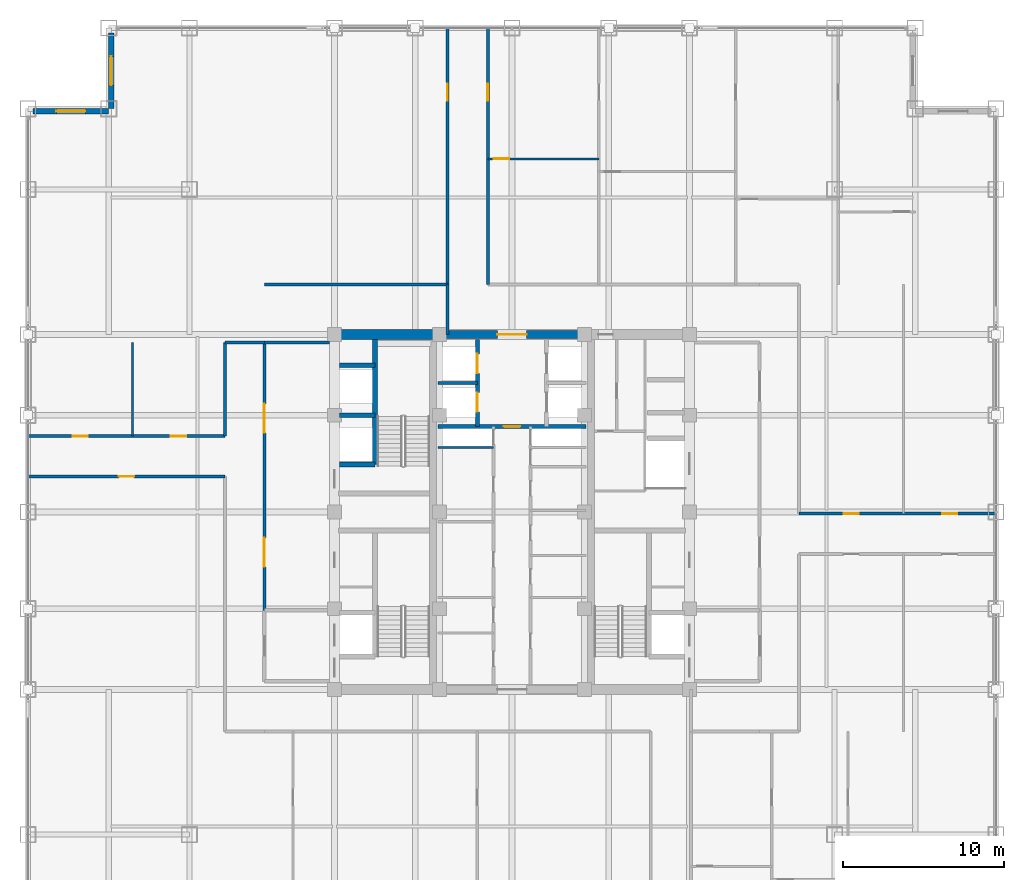
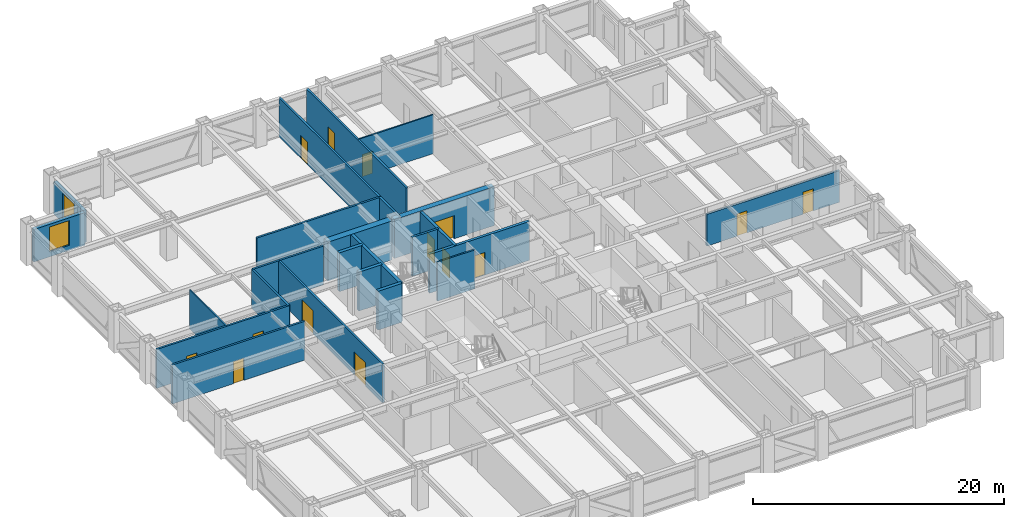
# One storey, part 22 of 25: 25 walls, 14 doors, 2 windows, 16 openings.
"""IFC4 building model written with IfcOpenShell, lengths in metres."""

from ifc_helpers import new_model, si_unit, direction, frame, frame_2d, origin, place, context, subcontext, project, spatial, rectangle, extrude, source, transform, mapped, material, layer, layer_set, type_object, element, fill, save


model = new_model("IFC4")

# Units and contexts
model_context = context("Model", 3, precision=1e-05, world=origin(), true_north=direction((0.0, 1.0)))
body_context = subcontext(model_context, "Body", "Model", "MODEL_VIEW")
ifc_project = project(units=[si_unit("LENGTHUNIT", "METRE"), si_unit("AREAUNIT", "SQUARE_METRE"), si_unit("VOLUMEUNIT", "CUBIC_METRE"), si_unit("PLANEANGLEUNIT", "RADIAN"), si_unit("MASSUNIT", "GRAM", prefix="KILO")], contexts=[model_context])

# Site, building, storey
site_placement = place(None, origin())
site = spatial("IfcSite", under=ifc_project, at=site_placement, CompositionType="ELEMENT")
building_placement = place(site_placement, origin())
building = spatial("IfcBuilding", under=site, at=building_placement, Name="Khorayat Bourse Tower", CompositionType="ELEMENT")
storey_placement = place(building_placement, frame((0.0, 0.0, 255.10009765625)))
storey = spatial("IfcBuildingStorey", under=building, at=storey_placement, Name="L60", CompositionType="ELEMENT", Elevation=255.10009765625)

# Wall, opening, door
ifc_material_1 = material(Name="Concrete C52/65", Category="concrete")
ifc_layer_1 = layer(ifc_material_1, 0.5)
ifc_layer_set_1 = layer_set([ifc_layer_1], Name="Concrete C52/65")
wall_type_1 = type_object("IfcWallType", Name="WAL-CORE-500", PredefinedType="SHEAR", material=ifc_layer_set_1)
shared_shape_1 = source(origin(), body_context, "Body", "SweptSolid", [
    extrude(rectangle(XDim=9.2001953125, YDim=0.5, at=frame_2d((4.60009765625, 0.0))), origin(), (0.0, 0.0, 1.0), 3.77978515625),
])
wall_1_placement = place(storey_placement, frame((-4.60009765625, 11.0, 0.0), z_axis=(0.0, 0.0, 1.0), x_axis=(1.0, 0.0, 0.0)))
wall_1 = element("IfcWall", 1, at=wall_1_placement, inside=storey, type_object=wall_type_1, Name="L60 Core Shear Wall CORE-N", PredefinedType="SHEAR", context=body_context, shape_type="MappedRepresentation", body=[
    mapped(shared_shape_1, transform((0.0, 0.0, 0.0), scale=1.0)),
])
shared_shape_2 = source(origin(), body_context, "Body", "SweptSolid", [
    extrude(rectangle(XDim=1.800048828125, YDim=2.25, at=frame_2d((0.89990234375, 1.125))), frame((0.0, 0.260009765625, 0.0), z_axis=(0.0, -1.0, 0.0), x_axis=(1.0, 0.0, 0.0)), (0.0, 0.0, 1.0), 0.52001953125),
])
opening_1_placement = place(wall_1_placement, frame((3.699951171875, 0.0, 0.0)))
opening_1 = element("IfcOpeningElement", 2, at=opening_1_placement, cuts=wall_1, Name="Opening DI-03", PredefinedType="OPENING", context=body_context, shape_type="MappedRepresentation", body=[
    mapped(shared_shape_2, transform((0.0, 0.0, 0.0), scale=1.0)),
])
ifc_material_2 = material(Name="Fire-rated hardwood vision-panel double leaf", Category="wood")
door_type_1 = type_object("IfcDoorType", Name="DR-INT-CORR-1800", OperationType="NOTDEFINED", PredefinedType="DOOR", material=ifc_material_2)
shared_shape_3 = source(origin(), body_context, "Body", "SweptSolid", [
    extrude(rectangle(XDim=1.800048828125, YDim=2.25, at=frame_2d((0.89990234375, 1.125))), frame((0.0, 0.02490234375, 0.0), z_axis=(0.0, -1.0, 0.0), x_axis=(1.0, 0.0, 0.0)), (0.0, 0.0, 1.0), 0.050048828125),
])
door_1_placement = place(opening_1_placement, origin())
door_1 = element("IfcDoor", 3, at=door_1_placement, inside=storey, type_object=door_type_1, Name="L60 Mid-Rise Lift Lobby Door", OperationType="SINGLE_SWING_RIGHT", OverallHeight=2.25, OverallWidth=1.800048828125, PredefinedType="DOOR", context=body_context, shape_type="MappedRepresentation", body=[
    mapped(shared_shape_3, transform((0.0, 0.0, 0.0), scale=1.0)),
])
fill(opening_1, door_1)

# Wall
ifc_material_3 = material(Name="Concrete C60/75", Category="concrete")
ifc_layer_2 = layer(ifc_material_3, 0.60009765625)
ifc_layer_set_2 = layer_set([ifc_layer_2], Name="Concrete C60/75")
wall_type_2 = type_object("IfcWallType", Name="WAL-CORE-600", PredefinedType="SHEAR", material=ifc_layer_set_2)
shared_shape_4 = source(origin(), body_context, "Body", "SweptSolid", [
    extrude(rectangle(XDim=5.89990234375, YDim=0.60009765625, at=frame_2d((2.949951171875, 0.0))), origin(), (0.0, 0.0, 1.0), 3.77978515625),
])
wall_2_placement = place(storey_placement, frame((-10.75, 11.0, 0.0), z_axis=(0.0, 0.0, 1.0), x_axis=(1.0, 0.0, 0.0)))
element("IfcWall", 4, at=wall_2_placement, inside=storey, type_object=wall_type_2, Name="L60 Core Shear Wall PIER-WN", PredefinedType="SHEAR", context=body_context, shape_type="MappedRepresentation", body=[
    mapped(shared_shape_4, transform((0.0, 0.0, 0.0), scale=1.0)),
])

# Wall, opening, window
ifc_material_4 = material(Name="Precast concrete C45/55", Category="concrete")
ifc_layer_3 = layer(ifc_material_4, 0.320068359375)
ifc_layer_set_3 = layer_set([ifc_layer_3], Name="Precast concrete C45/55")
wall_type_3 = type_object("IfcWallType", Name="WAL-EXT-STONE-320", PredefinedType="STANDARD", material=ifc_layer_set_3)
shared_shape_5 = source(origin(), body_context, "Body", "SweptSolid", [
    extrude(rectangle(XDim=4.679931640625, YDim=0.320068359375, at=frame_2d((2.33984375, 0.0))), origin(), (0.0, 0.0, 1.0), 3.163818359375),
])
wall_3_placement = place(storey_placement, frame((-24.840087890625, 25.0, 0.0), z_axis=(0.0, 0.0, 1.0), x_axis=(0.0, 1.0, 0.0)))
wall_3 = element("IfcWall", 5, at=wall_3_placement, inside=storey, type_object=wall_type_3, Name="L60 Re-Entrant Notch Limestone Wall NW-V", PredefinedType="STANDARD", context=body_context, shape_type="MappedRepresentation", body=[
    mapped(shared_shape_5, transform((0.0, 0.0, 0.0), scale=1.0)),
])
shared_shape_6 = source(origin(), body_context, "Body", "SweptSolid", [
    extrude(rectangle(XDim=1.800048828125, YDim=2.39990234375, at=frame_2d((0.89990234375, 1.199951171875))), frame((0.0, 0.169921875, 0.0), z_axis=(0.0, -1.0, 0.0), x_axis=(1.0, 0.0, 0.0)), (0.0, 0.0, 1.0), 0.340087890625),
])
opening_2_placement = place(wall_3_placement, frame((1.43994140625, 0.0, 0.5)))
opening_2 = element("IfcOpeningElement", 6, at=opening_2_placement, cuts=wall_3, Name="Opening WN-04", PredefinedType="OPENING", context=body_context, shape_type="MappedRepresentation", body=[
    mapped(shared_shape_6, transform((0.0, 0.0, 0.0), scale=1.0)),
])
ifc_material_5 = material(Name="Low-E acoustic laminated double glazing", Category="glass")
window_type = type_object("IfcWindowType", Name="WIN-NOTCH-1800x2400", PartitioningType="SINGLE_PANEL", PredefinedType="WINDOW", material=ifc_material_5)
shared_shape_7 = source(origin(), body_context, "Body", "SweptSolid", [
    extrude(rectangle(XDim=1.800048828125, YDim=2.39990234375, at=frame_2d((0.89990234375, 1.199951171875))), frame((0.0, 0.030029296875, 0.0), z_axis=(0.0, -1.0, 0.0), x_axis=(1.0, 0.0, 0.0)), (0.0, 0.0, 1.0), 0.06005859375),
])
window_1_placement = place(opening_2_placement, origin())
window_1 = element("IfcWindow", 7, at=window_1_placement, inside=storey, type_object=window_type, Name="L60 Facade Window 1", OverallHeight=2.39990234375, OverallWidth=1.800048828125, PartitioningType="SINGLE_PANEL", PredefinedType="WINDOW", context=body_context, shape_type="MappedRepresentation", body=[
    mapped(shared_shape_7, transform((0.0, 0.0, 0.0), scale=1.0)),
])
fill(opening_2, window_1)

wall_4_placement = place(storey_placement, frame((-25.0, 24.840087890625, 0.0), z_axis=(0.0, 0.0, 1.0), x_axis=(-1.0, 0.0, 0.0)))
wall_4 = element("IfcWall", 8, at=wall_4_placement, inside=storey, type_object=wall_type_3, Name="L60 Re-Entrant Notch Limestone Wall NW-H", PredefinedType="STANDARD", context=body_context, shape_type="MappedRepresentation", body=[
    mapped(shared_shape_5, transform((0.0, 0.0, 0.0), scale=1.0)),
])
opening_3_placement = place(wall_4_placement, frame((1.43994140625, 0.0, 0.5)))
opening_3 = element("IfcOpeningElement", 9, at=opening_3_placement, cuts=wall_4, Name="Opening WN-04", PredefinedType="OPENING", context=body_context, shape_type="MappedRepresentation", body=[
    mapped(shared_shape_6, transform((0.0, 0.0, 0.0), scale=1.0)),
])
window_2_placement = place(opening_3_placement, origin())
window_2 = element("IfcWindow", 10, at=window_2_placement, inside=storey, type_object=window_type, Name="L60 Facade Window 1", OverallHeight=2.39990234375, OverallWidth=1.800048828125, PartitioningType="SINGLE_PANEL", PredefinedType="WINDOW", context=body_context, shape_type="MappedRepresentation", body=[
    mapped(shared_shape_7, transform((0.0, 0.0, 0.0), scale=1.0)),
])
fill(opening_3, window_2)

# Walls
ifc_material_6 = material(Name="Concrete C50/60", Category="concrete")
ifc_layer_4 = layer(ifc_material_6, 0.300048828125)
ifc_layer_set_4 = layer_set([ifc_layer_4], Name="Concrete C50/60")
wall_type_4 = type_object("IfcWallType", Name="WAL-SHAFT-300", PredefinedType="SHEAR", material=ifc_layer_set_4)
shared_shape_8 = source(origin(), body_context, "Body", "SweptSolid", [
    extrude(rectangle(XDim=2.199951171875, YDim=0.300048828125, at=frame_2d((1.10009765625, 0.0))), origin(), (0.0, 0.0, 1.0), 3.77978515625),
])
for number, where, z_axis, x_axis, name in (
    (11, (-10.699951171875, 2.949951171875, 0.0), (0.0, 0.0, 1.0), (1.0, 0.0, 0.0), "L60 Partition WAL-L60-WPIER-H1S"),
    (12, (-10.699951171875, 6.0, 0.0), (0.0, 0.0, 1.0), (1.0, 0.0, 0.0), "L60 Partition WAL-L60-WPIER-H12"),
    (13, (-10.699951171875, 9.10009765625, 0.0), (0.0, 0.0, 1.0), (1.0, 0.0, 0.0), "L60 Partition WAL-L60-WPIER-H2N"),
):
    element("IfcWall", number, at=place(storey_placement, frame(where, z_axis=z_axis, x_axis=x_axis)), inside=storey, type_object=wall_type_4, Name=name, PredefinedType="SHEAR", context=body_context, shape_type="MappedRepresentation", body=[
        mapped(shared_shape_8, transform((0.0, 0.0, 0.0), scale=1.0)),
    ])
shared_shape_9 = source(origin(), body_context, "Body", "SweptSolid", [
    extrude(rectangle(XDim=7.75, YDim=0.300048828125, at=frame_2d((3.875, 0.0))), origin(), (0.0, 0.0, 1.0), 3.77978515625),
])
wall_5_placement = place(storey_placement, frame((-8.5, 2.949951171875, 0.0), z_axis=(0.0, 0.0, 1.0), x_axis=(0.0, 1.0, 0.0)))
element("IfcWall", 14, at=wall_5_placement, inside=storey, type_object=wall_type_4, Name="L60 Partition WAL-L60-WPIER-ST2S", PredefinedType="SHEAR", context=body_context, shape_type="MappedRepresentation", body=[
    mapped(shared_shape_9, transform((0.0, 0.0, 0.0), scale=1.0)),
])
ifc_material_7 = material(Name="Gypsum plasterboard acoustic stud wall")
ifc_layer_5 = layer(ifc_material_7, 0.179931640625)
ifc_layer_set_5 = layer_set([ifc_layer_5], Name="Gypsum plasterboard acoustic stud wall")
wall_type_5 = type_object("IfcWallType", Name="WAL-PART-CORR-180", PredefinedType="PARTITIONING", material=ifc_layer_set_5)
shared_shape_10 = source(origin(), body_context, "Body", "SweptSolid", [
    extrude(rectangle(XDim=4.050048828125, YDim=0.179931640625, at=frame_2d((2.02490234375, 0.0))), origin(), (0.0, 0.0, 1.0), 3.77978515625),
])
wall_6_placement = place(storey_placement, frame((-15.35009765625, 10.5, 0.0), z_axis=(0.0, 0.0, 1.0), x_axis=(1.0, 0.0, 0.0)))
element("IfcWall", 15, at=wall_6_placement, inside=storey, type_object=wall_type_5, Name="L60 Partition WAL-L60-WLOB-N", PredefinedType="PARTITIONING", context=body_context, shape_type="MappedRepresentation", body=[
    mapped(shared_shape_10, transform((0.0, 0.0, 0.0), scale=1.0)),
])

# Wall, openings, doors
shared_shape_11 = source(origin(), body_context, "Body", "SweptSolid", [
    extrude(rectangle(XDim=16.60009765625, YDim=0.179931640625, at=frame_2d((8.300048828125, 0.0))), origin(), (0.0, 0.0, 1.0), 3.77978515625),
])
wall_7_placement = place(storey_placement, frame((-15.35009765625, -6.10009765625, 0.0), z_axis=(0.0, 0.0, 1.0), x_axis=(0.0, 1.0, 0.0)))
wall_7 = element("IfcWall", 16, at=wall_7_placement, inside=storey, type_object=wall_type_5, Name="L60 Partition WAL-L60-WLOB-W", PredefinedType="PARTITIONING", context=body_context, shape_type="MappedRepresentation", body=[
    mapped(shared_shape_11, transform((0.0, 0.0, 0.0), scale=1.0)),
])
shared_shape_12 = source(origin(), body_context, "Body", "SweptSolid", [
    extrude(rectangle(XDim=1.800048828125, YDim=2.25, at=frame_2d((0.89990234375, 1.125))), frame((0.0, 0.099853515625, 0.0), z_axis=(0.0, -1.0, 0.0), x_axis=(1.0, 0.0, 0.0)), (0.0, 0.0, 1.0), 0.199951171875),
])
opening_4_placement = place(wall_7_placement, frame((2.699951171875, 0.0, 0.0)))
opening_4 = element("IfcOpeningElement", 17, at=opening_4_placement, cuts=wall_7, Name="Opening DI-03", PredefinedType="OPENING", context=body_context, shape_type="MappedRepresentation", body=[
    mapped(shared_shape_12, transform((0.0, 0.0, 0.0), scale=1.0)),
])
opening_5_placement = place(wall_7_placement, frame((11.0, 0.0, 0.0)))
opening_5 = element("IfcOpeningElement", 18, at=opening_5_placement, cuts=wall_7, Name="Opening DI-03", PredefinedType="OPENING", context=body_context, shape_type="MappedRepresentation", body=[
    mapped(shared_shape_12, transform((0.0, 0.0, 0.0), scale=1.0)),
])
door_2_placement = place(opening_4_placement, origin())
door_2 = element("IfcDoor", 19, at=door_2_placement, inside=storey, type_object=door_type_1, Name="L60 West Core Lobby South Door", OperationType="SINGLE_SWING_LEFT", OverallHeight=2.25, OverallWidth=1.800048828125, PredefinedType="DOOR", context=body_context, shape_type="MappedRepresentation", body=[
    mapped(shared_shape_3, transform((0.0, 0.0, 0.0), scale=1.0)),
])
fill(opening_4, door_2)
door_3_placement = place(opening_5_placement, origin())
door_3 = element("IfcDoor", 20, at=door_3_placement, inside=storey, type_object=door_type_1, Name="L60 West Core Lobby North Door", OperationType="SINGLE_SWING_RIGHT", OverallHeight=2.25, OverallWidth=1.800048828125, PredefinedType="DOOR", context=body_context, shape_type="MappedRepresentation", body=[
    mapped(shared_shape_3, transform((0.0, 0.0, 0.0), scale=1.0)),
])
fill(opening_5, door_3)

# Wall
ifc_material_8 = material(Name="Gypsum plasterboard twin-frame partition")
ifc_layer_6 = layer(ifc_material_8, 0.14990234375)
ifc_layer_set_6 = layer_set([ifc_layer_6], Name="Gypsum plasterboard twin-frame partition")
wall_type_6 = type_object("IfcWallType", Name="WAL-PART-SUITE-150", PredefinedType="PARTITIONING", material=ifc_layer_set_6)
shared_shape_13 = source(origin(), body_context, "Body", "SweptSolid", [
    extrude(rectangle(XDim=3.4501953125, YDim=0.14990234375, at=frame_2d((1.72509765625, 0.0))), origin(), (0.0, 0.0, 1.0), 3.77978515625),
])
wall_8_placement = place(storey_placement, frame((-4.60009765625, 4.0, 0.0), z_axis=(0.0, 0.0, 1.0), x_axis=(1.0, 0.0, 0.0)))
element("IfcWall", 21, at=wall_8_placement, inside=storey, type_object=wall_type_6, Name="L60 Partition WAL-L60-CRSW-S", PredefinedType="PARTITIONING", context=body_context, shape_type="MappedRepresentation", body=[
    mapped(shared_shape_13, transform((0.0, 0.0, 0.0), scale=1.0)),
])

# Wall, openings, doors
shared_shape_14 = source(origin(), body_context, "Body", "SweptSolid", [
    extrude(rectangle(XDim=5.39990234375, YDim=0.25, at=frame_2d((2.699951171875, 0.0))), origin(), (0.0, 0.0, 1.0), 3.77978515625),
])
wall_9_placement = place(storey_placement, frame((-2.14990234375, 5.300048828125, 0.0), z_axis=(0.0, 0.0, 1.0), x_axis=(0.0, 1.0, 0.0)))
wall_9 = element("IfcWall", 22, at=wall_9_placement, inside=storey, type_object=wall_type_4, Name="L60 Partition WAL-L60-B2-W", PredefinedType="SHEAR", context=body_context, shape_type="MappedRepresentation", body=[
    mapped(shared_shape_14, transform((0.0, 0.0, 0.0), scale=1.0)),
])
shared_shape_15 = source(origin(), body_context, "Body", "SweptSolid", [
    extrude(rectangle(XDim=1.199951171875, YDim=2.300048828125, at=frame_2d((0.60009765625, 1.14990234375))), frame((0.0, 0.135009765625, 0.0), z_axis=(0.0, -1.0, 0.0), x_axis=(1.0, 0.0, 0.0)), (0.0, 0.0, 1.0), 0.27001953125),
])
opening_6_placement = place(wall_9_placement, frame((3.300048828125, 0.0, 0.0)))
opening_6 = element("IfcOpeningElement", 23, at=opening_6_placement, cuts=wall_9, Name="Opening LD-01", PredefinedType="OPENING", context=body_context, shape_type="MappedRepresentation", body=[
    mapped(shared_shape_15, transform((0.0, 0.0, 0.0), scale=1.0)),
])
opening_7_placement = place(wall_9_placement, frame((0.89990234375, 0.0, 0.0)))
opening_7 = element("IfcOpeningElement", 24, at=opening_7_placement, cuts=wall_9, Name="Opening LD-01", PredefinedType="OPENING", context=body_context, shape_type="MappedRepresentation", body=[
    mapped(shared_shape_15, transform((0.0, 0.0, 0.0), scale=1.0)),
])
ifc_material_9 = material(Name="Brushed bronze stainless-steel sliding door", Category="steel")
door_type_2 = type_object("IfcDoorType", Name="DR-LIFT-PASS-1200", OperationType="NOTDEFINED", PredefinedType="DOOR", material=ifc_material_9)
shared_shape_16 = source(origin(), body_context, "Body", "SweptSolid", [
    extrude(rectangle(XDim=1.199951171875, YDim=2.300048828125, at=frame_2d((0.60009765625, 1.14990234375))), frame((0.0, 0.02490234375, 0.0), z_axis=(0.0, -1.0, 0.0), x_axis=(1.0, 0.0, 0.0)), (0.0, 0.0, 1.0), 0.050048828125),
])
door_4_placement = place(opening_6_placement, origin())
door_4 = element("IfcDoor", 25, at=door_4_placement, inside=storey, type_object=door_type_2, Name="L60 Lift PL-M1 Sliding Landing Door", OperationType="SLIDING_TO_LEFT", OverallHeight=2.300048828125, OverallWidth=1.199951171875, PredefinedType="DOOR", context=body_context, shape_type="MappedRepresentation", body=[
    mapped(shared_shape_16, transform((0.0, 0.0, 0.0), scale=1.0)),
])
fill(opening_6, door_4)
door_5_placement = place(opening_7_placement, origin())
door_5 = element("IfcDoor", 26, at=door_5_placement, inside=storey, type_object=door_type_2, Name="L60 Lift PL-M3 Sliding Landing Door", OperationType="SLIDING_TO_LEFT", OverallHeight=2.300048828125, OverallWidth=1.199951171875, PredefinedType="DOOR", context=body_context, shape_type="MappedRepresentation", body=[
    mapped(shared_shape_16, transform((0.0, 0.0, 0.0), scale=1.0)),
])
fill(opening_7, door_5)

# Wall
shared_shape_17 = source(origin(), body_context, "Body", "SweptSolid", [
    extrude(rectangle(XDim=2.4501953125, YDim=0.199951171875, at=frame_2d((1.22509765625, 0.0))), origin(), (0.0, 0.0, 1.0), 3.77978515625),
])
wall_10_placement = place(storey_placement, frame((-4.60009765625, 8.0, 0.0), z_axis=(0.0, 0.0, 1.0), x_axis=(1.0, 0.0, 0.0)))
element("IfcWall", 27, at=wall_10_placement, inside=storey, type_object=wall_type_4, Name="L60 Partition WAL-L60-B2-MW", PredefinedType="SHEAR", context=body_context, shape_type="MappedRepresentation", body=[
    mapped(shared_shape_17, transform((0.0, 0.0, 0.0), scale=1.0)),
])

# Wall, opening, door
shared_shape_18 = source(origin(), body_context, "Body", "SweptSolid", [
    extrude(rectangle(XDim=9.2001953125, YDim=0.25, at=frame_2d((4.60009765625, 0.0))), origin(), (0.0, 0.0, 1.0), 3.77978515625),
])
wall_11_placement = place(storey_placement, frame((-4.60009765625, 5.300048828125, 0.0), z_axis=(0.0, 0.0, 1.0), x_axis=(1.0, 0.0, 0.0)))
wall_11 = element("IfcWall", 28, at=wall_11_placement, inside=storey, type_object=wall_type_4, Name="L60 Partition WAL-L60-B2-S", PredefinedType="SHEAR", context=body_context, shape_type="MappedRepresentation", body=[
    mapped(shared_shape_18, transform((0.0, 0.0, 0.0), scale=1.0)),
])
shared_shape_19 = source(origin(), body_context, "Body", "SweptSolid", [
    extrude(rectangle(XDim=1.050048828125, YDim=2.199951171875, at=frame_2d((0.52490234375, 1.10009765625))), frame((0.0, 0.135009765625, 0.0), z_axis=(0.0, -1.0, 0.0), x_axis=(1.0, 0.0, 0.0)), (0.0, 0.0, 1.0), 0.27001953125),
])
opening_8_placement = place(wall_11_placement, frame((4.074951171875, 0.0, 0.0)))
opening_8 = element("IfcOpeningElement", 29, at=opening_8_placement, cuts=wall_11, Name="Opening DI-04", PredefinedType="OPENING", context=body_context, shape_type="MappedRepresentation", body=[
    mapped(shared_shape_19, transform((0.0, 0.0, 0.0), scale=1.0)),
])
ifc_material_10 = material(Name="Fire-rated oak veneer suite entrance door")
door_type_3 = type_object("IfcDoorType", Name="DR-INT-SUITE-1050", OperationType="NOTDEFINED", PredefinedType="DOOR", material=ifc_material_10)
shared_shape_20 = source(origin(), body_context, "Body", "SweptSolid", [
    extrude(rectangle(XDim=1.050048828125, YDim=2.199951171875, at=frame_2d((0.52490234375, 1.10009765625))), frame((0.0, 0.02490234375, 0.0), z_axis=(0.0, -1.0, 0.0), x_axis=(1.0, 0.0, 0.0)), (0.0, 0.0, 1.0), 0.050048828125),
])
door_6_placement = place(opening_8_placement, origin())
door_6 = element("IfcDoor", 30, at=door_6_placement, inside=storey, type_object=door_type_3, Name="L60 Core Spine North Door", OperationType="SINGLE_SWING_RIGHT", OverallHeight=2.199951171875, OverallWidth=1.050048828125, PredefinedType="DOOR", context=body_context, shape_type="MappedRepresentation", body=[
    mapped(shared_shape_20, transform((0.0, 0.0, 0.0), scale=1.0)),
])
fill(opening_8, door_6)

# Wall
shared_shape_21 = source(origin(), body_context, "Body", "SweptSolid", [
    extrude(rectangle(XDim=2.449951171875, YDim=0.179931640625, at=frame_2d((1.22509765625, 0.0))), origin(), (0.0, 0.0, 1.0), 3.77978515625),
])
wall_12_placement = place(storey_placement, frame((-17.800048828125, 10.5, 0.0), z_axis=(0.0, 0.0, 1.0), x_axis=(1.0, 0.0, 0.0)))
element("IfcWall", 31, at=wall_12_placement, inside=storey, type_object=wall_type_5, Name="L60 Partition WAL-L60-C2-WN", PredefinedType="PARTITIONING", context=body_context, shape_type="MappedRepresentation", body=[
    mapped(shared_shape_21, transform((0.0, 0.0, 0.0), scale=1.0)),
])

# Wall, opening, door
shared_shape_22 = source(origin(), body_context, "Body", "SweptSolid", [
    extrude(rectangle(XDim=12.199951171875, YDim=0.179931640625, at=frame_2d((6.10009765625, 0.0))), origin(), (0.0, 0.0, 1.0), 3.77978515625),
])
wall_13_placement = place(storey_placement, frame((-30.0, 2.199951171875, 0.0), z_axis=(0.0, 0.0, 1.0), x_axis=(1.0, 0.0, 0.0)))
wall_13 = element("IfcWall", 32, at=wall_13_placement, inside=storey, type_object=wall_type_5, Name="L60 Partition WAL-L60-WS-SPK", PredefinedType="PARTITIONING", context=body_context, shape_type="MappedRepresentation", body=[
    mapped(shared_shape_22, transform((0.0, 0.0, 0.0), scale=1.0)),
])
shared_shape_23 = source(origin(), body_context, "Body", "SweptSolid", [
    extrude(rectangle(XDim=0.949951171875, YDim=2.14990234375, at=frame_2d((0.47509765625, 1.074951171875))), frame((0.0, 0.099853515625, 0.0), z_axis=(0.0, -1.0, 0.0), x_axis=(1.0, 0.0, 0.0)), (0.0, 0.0, 1.0), 0.199951171875),
])
opening_9_placement = place(wall_13_placement, frame((5.625, 0.0, 0.0)))
opening_9 = element("IfcOpeningElement", 33, at=opening_9_placement, cuts=wall_13, Name="Opening DI-05", PredefinedType="OPENING", context=body_context, shape_type="MappedRepresentation", body=[
    mapped(shared_shape_23, transform((0.0, 0.0, 0.0), scale=1.0)),
])
ifc_material_11 = material(Name="Acoustic oak veneer office door")
door_type_4 = type_object("IfcDoorType", Name="DR-INT-OFFICE-950", OperationType="NOTDEFINED", PredefinedType="DOOR", material=ifc_material_11)
shared_shape_24 = source(origin(), body_context, "Body", "SweptSolid", [
    extrude(rectangle(XDim=0.949951171875, YDim=2.14990234375, at=frame_2d((0.47509765625, 1.074951171875))), frame((0.0, 0.02490234375, 0.0), z_axis=(0.0, -1.0, 0.0), x_axis=(1.0, 0.0, 0.0)), (0.0, 0.0, 1.0), 0.050048828125),
])
door_7_placement = place(opening_9_placement, origin())
door_7 = element("IfcDoor", 34, at=door_7_placement, inside=storey, type_object=door_type_4, Name="L60 Members Club Room WS Door", OperationType="SINGLE_SWING_LEFT", OverallHeight=2.14990234375, OverallWidth=0.949951171875, PredefinedType="DOOR", context=body_context, shape_type="MappedRepresentation", body=[
    mapped(shared_shape_24, transform((0.0, 0.0, 0.0), scale=1.0)),
])
fill(opening_9, door_7)

# Wall, openings, doors
wall_14_placement = place(storey_placement, frame((-30.0, 4.699951171875, 0.0), z_axis=(0.0, 0.0, 1.0), x_axis=(1.0, 0.0, 0.0)))
wall_14 = element("IfcWall", 35, at=wall_14_placement, inside=storey, type_object=wall_type_5, Name="L60 Partition WAL-L60-WN-SPK", PredefinedType="PARTITIONING", context=body_context, shape_type="MappedRepresentation", body=[
    mapped(shared_shape_22, transform((0.0, 0.0, 0.0), scale=1.0)),
])
opening_10_placement = place(wall_14_placement, frame((2.758056640625, 0.0, 0.0)))
opening_10 = element("IfcOpeningElement", 36, at=opening_10_placement, cuts=wall_14, Name="Opening DI-05", PredefinedType="OPENING", context=body_context, shape_type="MappedRepresentation", body=[
    mapped(shared_shape_23, transform((0.0, 0.0, 0.0), scale=1.0)),
])
opening_11_placement = place(wall_14_placement, frame((8.85791015625, 0.0, 0.0)))
opening_11 = element("IfcOpeningElement", 37, at=opening_11_placement, cuts=wall_14, Name="Opening DI-05", PredefinedType="OPENING", context=body_context, shape_type="MappedRepresentation", body=[
    mapped(shared_shape_23, transform((0.0, 0.0, 0.0), scale=1.0)),
])
door_8_placement = place(opening_10_placement, origin())
door_8 = element("IfcDoor", 38, at=door_8_placement, inside=storey, type_object=door_type_4, Name="L60 Staff Tea Pantry WNA Door", OperationType="SINGLE_SWING_LEFT", OverallHeight=2.14990234375, OverallWidth=0.949951171875, PredefinedType="DOOR", context=body_context, shape_type="MappedRepresentation", body=[
    mapped(shared_shape_24, transform((0.0, 0.0, 0.0), scale=1.0)),
])
fill(opening_10, door_8)
door_9_placement = place(opening_11_placement, origin())
door_9 = element("IfcDoor", 39, at=door_9_placement, inside=storey, type_object=door_type_4, Name="L60 Quantitative Research Study WNB Door", OperationType="SINGLE_SWING_RIGHT", OverallHeight=2.14990234375, OverallWidth=0.949951171875, PredefinedType="DOOR", context=body_context, shape_type="MappedRepresentation", body=[
    mapped(shared_shape_24, transform((0.0, 0.0, 0.0), scale=1.0)),
])
fill(opening_11, door_9)

# Wall
shared_shape_25 = source(origin(), body_context, "Body", "SweptSolid", [
    extrude(rectangle(XDim=3.10009765625, YDim=0.179931640625, at=frame_2d((1.550048828125, 0.0))), origin(), (0.0, 0.0, 1.0), 3.77978515625),
])
wall_15_placement = place(storey_placement, frame((-4.0, 11.0, 0.0), z_axis=(0.0, 0.0, 1.0), x_axis=(0.0, 1.0, 0.0)))
element("IfcWall", 40, at=wall_15_placement, inside=storey, type_object=wall_type_5, Name="L60 Partition WAL-L60-C2-NCW", PredefinedType="PARTITIONING", context=body_context, shape_type="MappedRepresentation", body=[
    mapped(shared_shape_25, transform((0.0, 0.0, 0.0), scale=1.0)),
])

# Wall, opening, door
shared_shape_26 = source(origin(), body_context, "Body", "SweptSolid", [
    extrude(rectangle(XDim=15.89990234375, YDim=0.179931640625, at=frame_2d((7.949951171875, 0.0))), origin(), (0.0, 0.0, 1.0), 3.77978515625),
])
wall_16_placement = place(storey_placement, frame((-4.0, 14.10009765625, 0.0), z_axis=(0.0, 0.0, 1.0), x_axis=(0.0, 1.0, 0.0)))
wall_16 = element("IfcWall", 41, at=wall_16_placement, inside=storey, type_object=wall_type_5, Name="L60 Partition WAL-L60-QNW-SPK", PredefinedType="PARTITIONING", context=body_context, shape_type="MappedRepresentation", body=[
    mapped(shared_shape_26, transform((0.0, 0.0, 0.0), scale=1.0)),
])
shared_shape_27 = source(origin(), body_context, "Body", "SweptSolid", [
    extrude(rectangle(XDim=1.050048828125, YDim=2.199951171875, at=frame_2d((0.52490234375, 1.10009765625))), frame((0.0, 0.099853515625, 0.0), z_axis=(0.0, -1.0, 0.0), x_axis=(1.0, 0.0, 0.0)), (0.0, 0.0, 1.0), 0.199951171875),
])
opening_12_placement = place(wall_16_placement, frame((11.39990234375, 0.0, 0.0)))
opening_12 = element("IfcOpeningElement", 42, at=opening_12_placement, cuts=wall_16, Name="Opening DI-04", PredefinedType="OPENING", context=body_context, shape_type="MappedRepresentation", body=[
    mapped(shared_shape_27, transform((0.0, 0.0, 0.0), scale=1.0)),
])
door_10_placement = place(opening_12_placement, origin())
door_10 = element("IfcDoor", 43, at=door_10_placement, inside=storey, type_object=door_type_3, Name="L60 North-West Radial Spoke Entry", OperationType="SINGLE_SWING_LEFT", OverallHeight=2.199951171875, OverallWidth=1.050048828125, PredefinedType="DOOR", context=body_context, shape_type="MappedRepresentation", body=[
    mapped(shared_shape_20, transform((0.0, 0.0, 0.0), scale=1.0)),
])
fill(opening_12, door_10)

wall_17_placement = place(storey_placement, frame((-1.5, 14.10009765625, 0.0), z_axis=(0.0, 0.0, 1.0), x_axis=(0.0, 1.0, 0.0)))
wall_17 = element("IfcWall", 44, at=wall_17_placement, inside=storey, type_object=wall_type_5, Name="L60 Partition WAL-L60-QNE-SPK", PredefinedType="PARTITIONING", context=body_context, shape_type="MappedRepresentation", body=[
    mapped(shared_shape_26, transform((0.0, 0.0, 0.0), scale=1.0)),
])
opening_13_placement = place(wall_17_placement, frame((11.39990234375, 0.0, 0.0)))
opening_13 = element("IfcOpeningElement", 45, at=opening_13_placement, cuts=wall_17, Name="Opening DI-04", PredefinedType="OPENING", context=body_context, shape_type="MappedRepresentation", body=[
    mapped(shared_shape_27, transform((0.0, 0.0, 0.0), scale=1.0)),
])
door_11_placement = place(opening_13_placement, origin())
door_11 = element("IfcDoor", 46, at=door_11_placement, inside=storey, type_object=door_type_3, Name="L60 North-East Radial Spoke Entry", OperationType="SINGLE_SWING_LEFT", OverallHeight=2.199951171875, OverallWidth=1.050048828125, PredefinedType="DOOR", context=body_context, shape_type="MappedRepresentation", body=[
    mapped(shared_shape_20, transform((0.0, 0.0, 0.0), scale=1.0)),
])
fill(opening_13, door_11)

# Walls
shared_shape_28 = source(origin(), body_context, "Body", "SweptSolid", [
    extrude(rectangle(XDim=5.800048828125, YDim=0.179931640625, at=frame_2d((2.89990234375, 0.0))), origin(), (0.0, 0.0, 1.0), 3.77978515625),
])
wall_18_placement = place(storey_placement, frame((-17.800048828125, 4.699951171875, 0.0), z_axis=(0.0, 0.0, 1.0), x_axis=(0.0, 1.0, 0.0)))
element("IfcWall", 47, at=wall_18_placement, inside=storey, type_object=wall_type_5, Name="L60 Partition WAL-L60-WN-IN", PredefinedType="PARTITIONING", context=body_context, shape_type="MappedRepresentation", body=[
    mapped(shared_shape_28, transform((0.0, 0.0, 0.0), scale=1.0)),
])
shared_shape_29 = source(origin(), body_context, "Body", "SweptSolid", [
    extrude(rectangle(XDim=11.35009765625, YDim=0.179931640625, at=frame_2d((5.675048828125, 0.0))), origin(), (0.0, 0.0, 1.0), 3.77978515625),
])
wall_19_placement = place(storey_placement, frame((-15.35009765625, 14.10009765625, 0.0), z_axis=(0.0, 0.0, 1.0), x_axis=(1.0, 0.0, 0.0)))
element("IfcWall", 48, at=wall_19_placement, inside=storey, type_object=wall_type_5, Name="L60 Partition WAL-L60-QNW-HC", PredefinedType="PARTITIONING", context=body_context, shape_type="MappedRepresentation", body=[
    mapped(shared_shape_29, transform((0.0, 0.0, 0.0), scale=1.0)),
])

# Wall, openings, doors
shared_shape_30 = source(origin(), body_context, "Body", "SweptSolid", [
    extrude(rectangle(XDim=12.199951171875, YDim=0.179931640625, at=frame_2d((6.10009765625, 0.0))), origin(), (0.0, 0.0, 1.0), 3.0849609375),
])
wall_20_placement = place(storey_placement, frame((17.800048828125, -0.10009765625, 0.0), z_axis=(0.0, 0.0, 1.0), x_axis=(1.0, 0.0, 0.0)))
wall_20 = element("IfcWall", 49, at=wall_20_placement, inside=storey, type_object=wall_type_5, Name="L60 Partition WAL-L60-EN-SPK", PredefinedType="PARTITIONING", context=body_context, shape_type="MappedRepresentation", body=[
    mapped(shared_shape_30, transform((0.0, 0.0, 0.0), scale=1.0)),
])
opening_14_placement = place(wall_20_placement, frame((2.758056640625, 0.0, 0.0)))
opening_14 = element("IfcOpeningElement", 50, at=opening_14_placement, cuts=wall_20, Name="Opening DI-05", PredefinedType="OPENING", context=body_context, shape_type="MappedRepresentation", body=[
    mapped(shared_shape_23, transform((0.0, 0.0, 0.0), scale=1.0)),
])
opening_15_placement = place(wall_20_placement, frame((8.85791015625, 0.0, 0.0)))
opening_15 = element("IfcOpeningElement", 51, at=opening_15_placement, cuts=wall_20, Name="Opening DI-05", PredefinedType="OPENING", context=body_context, shape_type="MappedRepresentation", body=[
    mapped(shared_shape_23, transform((0.0, 0.0, 0.0), scale=1.0)),
])
door_12_placement = place(opening_14_placement, origin())
door_12 = element("IfcDoor", 52, at=door_12_placement, inside=storey, type_object=door_type_4, Name="L60 Catering Servery Kitchen ENA Door", OperationType="SINGLE_SWING_LEFT", OverallHeight=2.14990234375, OverallWidth=0.949951171875, PredefinedType="DOOR", context=body_context, shape_type="MappedRepresentation", body=[
    mapped(shared_shape_24, transform((0.0, 0.0, 0.0), scale=1.0)),
])
fill(opening_14, door_12)
door_13_placement = place(opening_15_placement, origin())
door_13 = element("IfcDoor", 53, at=door_13_placement, inside=storey, type_object=door_type_4, Name="L60 Clearing Operations Office ENB Door", OperationType="SINGLE_SWING_RIGHT", OverallHeight=2.14990234375, OverallWidth=0.949951171875, PredefinedType="DOOR", context=body_context, shape_type="MappedRepresentation", body=[
    mapped(shared_shape_24, transform((0.0, 0.0, 0.0), scale=1.0)),
])
fill(opening_15, door_13)

# Wall, opening, door
ifc_material_12 = material(Name="Gypsum plasterboard partition")
ifc_layer_7 = layer(ifc_material_12, 0.125)
ifc_layer_set_7 = layer_set([ifc_layer_7], Name="Gypsum plasterboard partition")
wall_type_7 = type_object("IfcWallType", Name="WAL-PART-ROOM-125", PredefinedType="PARTITIONING", material=ifc_layer_set_7)
shared_shape_31 = source(origin(), body_context, "Body", "SweptSolid", [
    extrude(rectangle(XDim=6.889892578125, YDim=0.125, at=frame_2d((3.44482421875, 0.0))), origin(), (0.0, 0.0, 1.0), 3.77978515625),
])
wall_21_placement = place(storey_placement, frame((-1.5, 21.89111328125, 0.0), z_axis=(0.0, 0.0, 1.0), x_axis=(1.0, 0.0, 0.0)))
wall_21 = element("IfcWall", 54, at=wall_21_placement, inside=storey, type_object=wall_type_7, Name="L60 Partition WAL-L60-QNEDP-1", PredefinedType="PARTITIONING", context=body_context, shape_type="MappedRepresentation", body=[
    mapped(shared_shape_31, transform((0.0, 0.0, 0.0), scale=1.0)),
])
shared_shape_32 = source(origin(), body_context, "Body", "SweptSolid", [
    extrude(rectangle(XDim=0.949951171875, YDim=2.14990234375, at=frame_2d((0.47509765625, 1.074951171875))), frame((0.0, 0.072509765625, 0.0), z_axis=(0.0, -1.0, 0.0), x_axis=(1.0, 0.0, 0.0)), (0.0, 0.0, 1.0), 0.14501953125),
])
opening_16_placement = place(wall_21_placement, frame((0.375, 0.0, 0.0)))
opening_16 = element("IfcOpeningElement", 55, at=opening_16_placement, cuts=wall_21, Name="Opening DI-05", PredefinedType="OPENING", context=body_context, shape_type="MappedRepresentation", body=[
    mapped(shared_shape_32, transform((0.0, 0.0, 0.0), scale=1.0)),
])
door_14_placement = place(opening_16_placement, origin())
door_14 = element("IfcDoor", 56, at=door_14_placement, inside=storey, type_object=door_type_4, Name="L60 North-East Catering Servery Kitchen 1B Door", OperationType="SINGLE_SWING_RIGHT", OverallHeight=2.14990234375, OverallWidth=0.949951171875, PredefinedType="DOOR", context=body_context, shape_type="MappedRepresentation", body=[
    mapped(shared_shape_24, transform((0.0, 0.0, 0.0), scale=1.0)),
])
fill(opening_16, door_14)

# Wall
shared_shape_33 = source(origin(), body_context, "Body", "SweptSolid", [
    extrude(rectangle(XDim=5.800048828125, YDim=0.125, at=frame_2d((2.89990234375, 0.0))), origin(), (0.0, 0.0, 1.0), 3.77978515625),
])
wall_22_placement = place(storey_placement, frame((-23.533935546875, 4.699951171875, 0.0), z_axis=(0.0, 0.0, 1.0), x_axis=(0.0, 1.0, 0.0)))
element("IfcWall", 57, at=wall_22_placement, inside=storey, type_object=wall_type_7, Name="L60 Partition WAL-L60-WN-DV", PredefinedType="PARTITIONING", context=body_context, shape_type="MappedRepresentation", body=[
    mapped(shared_shape_33, transform((0.0, 0.0, 0.0), scale=1.0)),
])

save(model, "model.ifc")
